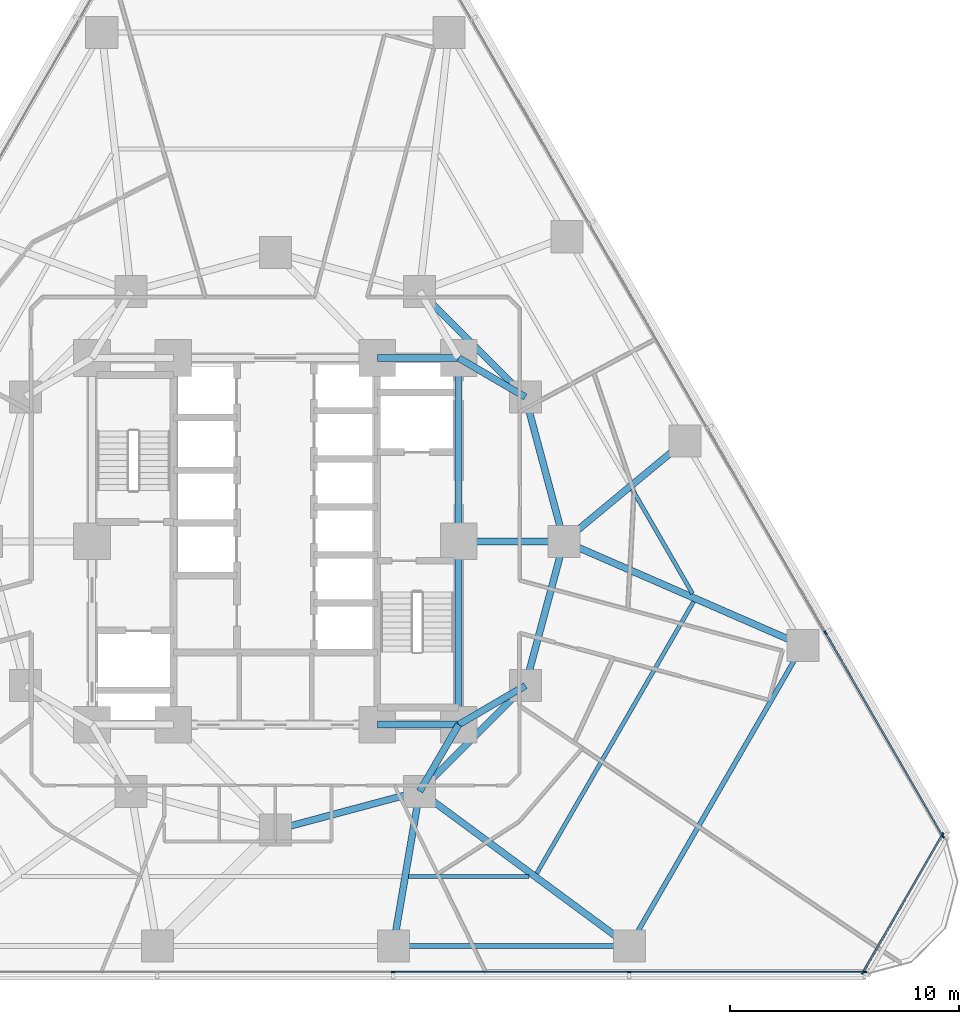
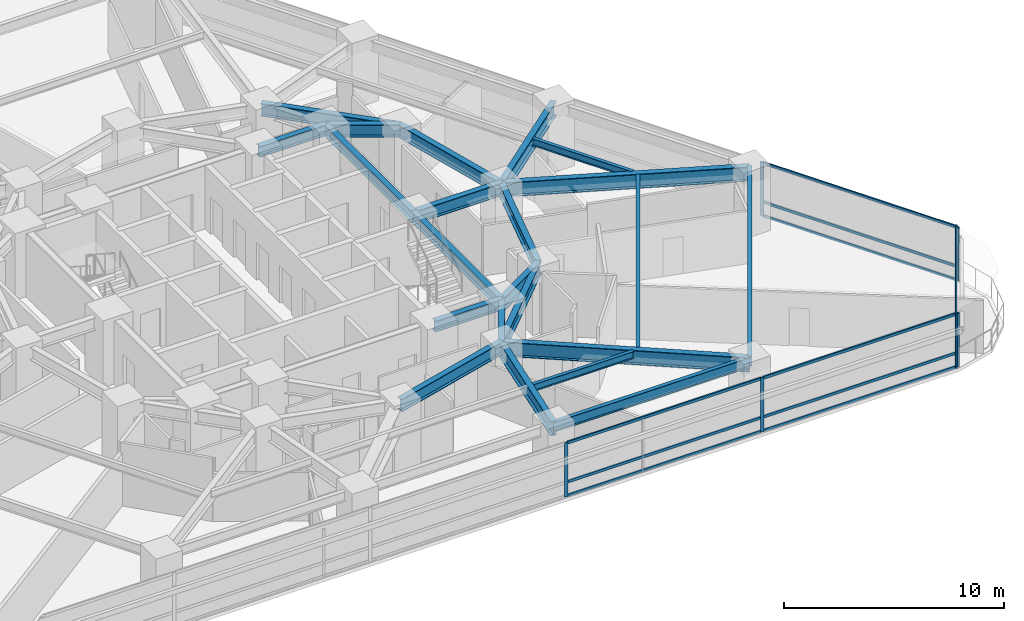
# One storey, part 4 of 16: 22 beams, 19 members, 3 elements without a shape of their own.
"""IFC4 building model written with IfcOpenShell, lengths in metres."""

from ifc_helpers import new_model, si_unit, direction, frame, origin, origin_2d, place, context, subcontext, project, spatial, rectangle, i_section, extrude, material, layer, layer_set, material_profile, profile_set, type_object, element, aggregate, save


model = new_model("IFC4")

# Units and contexts
model_context = context("Model", 3, precision=1e-05, world=origin(), true_north=direction((0.0, 1.0)))
body_context = subcontext(model_context, "Body", "Model", "MODEL_VIEW")
ifc_project = project(units=[si_unit("LENGTHUNIT", "METRE"), si_unit("AREAUNIT", "SQUARE_METRE"), si_unit("VOLUMEUNIT", "CUBIC_METRE"), si_unit("PLANEANGLEUNIT", "RADIAN"), si_unit("MASSUNIT", "GRAM", prefix="KILO")], contexts=[model_context])

# Site, building, storey
site_placement = place(None, origin())
site = spatial("IfcSite", under=ifc_project, at=site_placement, CompositionType="ELEMENT")
building_placement = place(site_placement, origin())
building = spatial("IfcBuilding", under=site, at=building_placement, Name="Terralouvre Media Tower", CompositionType="ELEMENT")
storey_placement = place(building_placement, frame((0.0, 0.0, 40.800048828125)))
storey = spatial("IfcBuildingStorey", under=building, at=storey_placement, Name="L09", CompositionType="ELEMENT", Elevation=40.800048828125)

# Beams
ifc_material_1 = material(Name="Structural steel S355J2", Category="steel")
ifc_material_profile_1 = material_profile(ifc_material_1, i_section(OverallWidth=0.179931640625, OverallDepth=0.39990234375, WebThickness=0.008544921875, FlangeThickness=0.013427734375, at=origin_2d()), Name="IPE 400")
ifc_profile_set_1 = profile_set([ifc_material_profile_1], Name="Structural steel S355J2")
beam_type_1 = type_object("IfcBeamType", Name="Composite Floor Joist J-IPE400 (IPE 400)", PredefinedType="JOIST", material=ifc_profile_set_1)
beam_1_placement = place(storey_placement, frame((5.817626953125, -14.627197265625, 3.300048828125), z_axis=(1.0, 0.0, 0.0), x_axis=(0.0, 1.0, 0.0)))
element("IfcBeam", 1, at=beam_1_placement, inside=storey, type_object=beam_type_1, Name="L09 Framing Beam JT-L09-04", PredefinedType="JOIST", context=body_context, shape_type="SweptSolid", body=[
    extrude(i_section(OverallWidth=0.179931640625, OverallDepth=0.39990234375, WebThickness=0.008544921875, FlangeThickness=0.013427734375, at=origin_2d()), origin(), (0.0, 0.0, 1.0), 5.264404296875),
])
beam_2_placement = place(storey_placement, frame((11.407470703125, -14.4970703125, 3.300048828125), z_axis=(0.500011895338, 0.866018535899, 0.0), x_axis=(-0.866018535899, 0.500011895338, 0.0)))
element("IfcBeam", 2, at=beam_2_placement, inside=storey, type_object=beam_type_1, Name="L09 Framing Beam JT-L09-05", PredefinedType="JOIST", context=body_context, shape_type="SweptSolid", body=[
    extrude(i_section(OverallWidth=0.179931640625, OverallDepth=0.39990234375, WebThickness=0.008544921875, FlangeThickness=0.013427734375, at=origin_2d()), origin(), (0.0, 0.0, 1.0), 13.702392578125),
])
beam_3_placement = place(storey_placement, frame((18.20849609375, -2.28369140625, 3.300048828125), z_axis=(-0.500019514865, 0.866014136579, 0.0), x_axis=(-0.866014136579, -0.500019514865, 0.0)))
element("IfcBeam", 3, at=beam_3_placement, inside=storey, type_object=beam_type_1, Name="L09 Framing Beam JT-L09-06", PredefinedType="JOIST", context=body_context, shape_type="SweptSolid", body=[
    extrude(i_section(OverallWidth=0.179931640625, OverallDepth=0.39990234375, WebThickness=0.008544921875, FlangeThickness=0.013427734375, at=origin_2d()), origin(), (0.0, 0.0, 1.0), 5.264404296875),
])

# Curtain wall, members
ifc_material_2 = material(Name="Low-iron laminated double glazing with solar-control coating", Category="glass")
ifc_layer_1 = layer(ifc_material_2, 0.1650390625, Name="Lower Media Tower Unitised Curtain Wall CW-02")
ifc_layer_set_1 = layer_set([ifc_layer_1], Name="Low-iron laminated double glazing with solar-control coating")
curtain_wall_type_1 = type_object("IfcCurtainWallType", Name="Lower Media Tower Unitised Curtain Wall CW-02", PredefinedType="NOTDEFINED", material=ifc_layer_set_1)
curtain_wall_1_placement = place(storey_placement, origin())
curtain_wall_1 = element("IfcCurtainWall", 4, at=curtain_wall_1_placement, inside=storey, type_object=curtain_wall_type_1, Name="L09 Facade Curtain Wall F0", PredefinedType="NOTDEFINED")
ifc_material_3 = material(Name="Anodised extruded aluminium 6063-T6", Category="aluminium")
ifc_material_profile_2 = material_profile(ifc_material_3, rectangle(XDim=0.074951171875, YDim=0.14990234375, at=origin_2d()), Name="ALU 75x150")
ifc_profile_set_2 = profile_set([ifc_material_profile_2], Name="Anodised extruded aluminium 6063-T6")
member_type_1 = type_object("IfcMemberType", Name="Curtain-Wall Horizontal Transom TR-150", PredefinedType="USERDEFINED", material=ifc_profile_set_2)
member_1_placement = place(storey_placement, frame((5.1875, -18.796875, 0.037353515625), z_axis=(1.0, 0.0, 0.0), x_axis=(0.0, 1.0, 0.0)))
member_1 = element("IfcMember", 5, at=member_1_placement, type_object=member_type_1, Name="CW-02 transom 4.1", ObjectType="TRANSOM", PredefinedType="USERDEFINED", context=body_context, shape_type="SweptSolid", body=[
    extrude(rectangle(XDim=0.074951171875, YDim=0.14990234375, at=origin_2d()), origin(), (0.0, 0.0, 1.0), 10.22509765625),
])
member_2_placement = place(storey_placement, frame((5.1875, -18.796875, 0.800048828125), z_axis=(1.0, 0.0, 0.0), x_axis=(0.0, 1.0, 0.0)))
member_2 = element("IfcMember", 6, at=member_2_placement, type_object=member_type_1, Name="CW-02 transom 4.2", ObjectType="TRANSOM", PredefinedType="USERDEFINED", context=body_context, shape_type="SweptSolid", body=[
    extrude(rectangle(XDim=0.074951171875, YDim=0.14990234375, at=origin_2d()), origin(), (0.0, 0.0, 1.0), 10.22509765625),
])
member_3_placement = place(storey_placement, frame((5.1875, -18.796875, 2.96240234375), z_axis=(1.0, 0.0, 0.0), x_axis=(0.0, 1.0, 0.0)))
member_3 = element("IfcMember", 7, at=member_3_placement, type_object=member_type_1, Name="CW-02 transom 4.3", ObjectType="TRANSOM", PredefinedType="USERDEFINED", context=body_context, shape_type="SweptSolid", body=[
    extrude(rectangle(XDim=0.074951171875, YDim=0.14990234375, at=origin_2d()), origin(), (0.0, 0.0, 1.0), 10.22509765625),
])
member_4_placement = place(storey_placement, frame((15.487548828125, -18.796875, 0.037353515625), z_axis=(1.0, 0.0, 0.0), x_axis=(0.0, 1.0, 0.0)))
member_4 = element("IfcMember", 8, at=member_4_placement, type_object=member_type_1, Name="CW-02 transom 5.1", ObjectType="TRANSOM", PredefinedType="USERDEFINED", context=body_context, shape_type="SweptSolid", body=[
    extrude(rectangle(XDim=0.074951171875, YDim=0.14990234375, at=origin_2d()), origin(), (0.0, 0.0, 1.0), 10.1875),
])
member_5_placement = place(storey_placement, frame((15.487548828125, -18.796875, 0.800048828125), z_axis=(1.0, 0.0, 0.0), x_axis=(0.0, 1.0, 0.0)))
member_5 = element("IfcMember", 9, at=member_5_placement, type_object=member_type_1, Name="CW-02 transom 5.2", ObjectType="TRANSOM", PredefinedType="USERDEFINED", context=body_context, shape_type="SweptSolid", body=[
    extrude(rectangle(XDim=0.074951171875, YDim=0.14990234375, at=origin_2d()), origin(), (0.0, 0.0, 1.0), 10.1875),
])
member_6_placement = place(storey_placement, frame((15.487548828125, -18.796875, 2.96240234375), z_axis=(1.0, 0.0, 0.0), x_axis=(0.0, 1.0, 0.0)))
member_6 = element("IfcMember", 10, at=member_6_placement, type_object=member_type_1, Name="CW-02 transom 5.3", ObjectType="TRANSOM", PredefinedType="USERDEFINED", context=body_context, shape_type="SweptSolid", body=[
    extrude(rectangle(XDim=0.074951171875, YDim=0.14990234375, at=origin_2d()), origin(), (0.0, 0.0, 1.0), 10.1875),
])

curtain_wall_2_placement = place(storey_placement, origin())
curtain_wall_2 = element("IfcCurtainWall", 11, at=curtain_wall_2_placement, inside=storey, type_object=curtain_wall_type_1, Name="L09 Facade Curtain Wall F1", PredefinedType="NOTDEFINED")
member_7_placement = place(storey_placement, frame((29.115966796875, -12.8369140625, 0.037353515625), z_axis=(-0.499994895054, 0.866028351106, 0.0), x_axis=(-0.866028351106, -0.499994895054, 0.0)))
member_7 = element("IfcMember", 12, at=member_7_placement, type_object=member_type_1, Name="CW-02 transom 1.1", ObjectType="TRANSOM", PredefinedType="USERDEFINED", context=body_context, shape_type="SweptSolid", body=[
    extrude(rectangle(XDim=0.074951171875, YDim=0.14990234375, at=origin_2d()), origin(), (0.0, 0.0, 1.0), 10.1875),
])
member_8_placement = place(storey_placement, frame((29.115966796875, -12.8369140625, 0.800048828125), z_axis=(-0.499994895054, 0.866028351106, 0.0), x_axis=(-0.866028351106, -0.499994895054, 0.0)))
member_8 = element("IfcMember", 13, at=member_8_placement, type_object=member_type_1, Name="CW-02 transom 1.2", ObjectType="TRANSOM", PredefinedType="USERDEFINED", context=body_context, shape_type="SweptSolid", body=[
    extrude(rectangle(XDim=0.074951171875, YDim=0.14990234375, at=origin_2d()), origin(), (0.0, 0.0, 1.0), 10.1875),
])
member_9_placement = place(storey_placement, frame((29.115966796875, -12.8369140625, 2.96240234375), z_axis=(-0.499994895054, 0.866028351106, 0.0), x_axis=(-0.866028351106, -0.499994895054, 0.0)))
member_9 = element("IfcMember", 14, at=member_9_placement, type_object=member_type_1, Name="CW-02 transom 1.3", ObjectType="TRANSOM", PredefinedType="USERDEFINED", context=body_context, shape_type="SweptSolid", body=[
    extrude(rectangle(XDim=0.074951171875, YDim=0.14990234375, at=origin_2d()), origin(), (0.0, 0.0, 1.0), 10.1875),
])

ifc_material_4 = material(Name="Low-iron laminated double glazing with solar-control coating", Category="glass")
ifc_layer_2 = layer(ifc_material_4, 0.1650390625, Name="Rounded Wind-Corner Curved Glazing CW-04")
ifc_layer_set_2 = layer_set([ifc_layer_2], Name="Low-iron laminated double glazing with solar-control coating")
curtain_wall_type_2 = type_object("IfcCurtainWallType", Name="Rounded Wind-Corner Curved Glazing CW-04", PredefinedType="NOTDEFINED", material=ifc_layer_set_2)
curtain_wall_3_placement = place(storey_placement, origin())
curtain_wall_3 = element("IfcCurtainWall", 15, at=curtain_wall_3_placement, inside=storey, type_object=curtain_wall_type_2, Name="L09 Rounded Wind-Corner Curtain Wall C1", PredefinedType="NOTDEFINED")
member_10_placement = place(storey_placement, frame((25.666259765625, -18.78173828125, 0.037353515625), z_axis=(0.499998495495, 0.866026272409, 0.0), x_axis=(-0.866026272409, 0.499998495495, 0.0)))
member_10 = element("IfcMember", 16, at=member_10_placement, type_object=member_type_1, Name="CW-04 transom 1.1", ObjectType="TRANSOM", PredefinedType="USERDEFINED", context=body_context, shape_type="SweptSolid", body=[
    extrude(rectangle(XDim=0.074951171875, YDim=0.14990234375, at=origin_2d()), origin(), (0.0, 0.0, 1.0), 6.86474609375),
])
member_11_placement = place(storey_placement, frame((25.666259765625, -18.78173828125, 0.800048828125), z_axis=(0.499998495495, 0.866026272409, 0.0), x_axis=(-0.866026272409, 0.499998495495, 0.0)))
member_11 = element("IfcMember", 17, at=member_11_placement, type_object=member_type_1, Name="CW-04 transom 1.2", ObjectType="TRANSOM", PredefinedType="USERDEFINED", context=body_context, shape_type="SweptSolid", body=[
    extrude(rectangle(XDim=0.074951171875, YDim=0.14990234375, at=origin_2d()), origin(), (0.0, 0.0, 1.0), 6.86474609375),
])
member_12_placement = place(storey_placement, frame((25.666259765625, -18.78173828125, 2.96240234375), z_axis=(0.499998495495, 0.866026272409, 0.0), x_axis=(-0.866026272409, 0.499998495495, 0.0)))
member_12 = element("IfcMember", 18, at=member_12_placement, type_object=member_type_1, Name="CW-04 transom 1.3", ObjectType="TRANSOM", PredefinedType="USERDEFINED", context=body_context, shape_type="SweptSolid", body=[
    extrude(rectangle(XDim=0.074951171875, YDim=0.14990234375, at=origin_2d()), origin(), (0.0, 0.0, 1.0), 6.86474609375),
])

# Member
ifc_material_5 = material(Name="Anodised extruded aluminium 6063-T6", Category="aluminium")
ifc_material_profile_3 = material_profile(ifc_material_5, rectangle(XDim=0.074951171875, YDim=0.179931640625, at=origin_2d()), Name="ALU 75x180")
ifc_profile_set_3 = profile_set([ifc_material_profile_3], Name="Anodised extruded aluminium 6063-T6")
member_type_2 = type_object("IfcMemberType", Name="Curtain-Wall Vertical Mullion ML-180", PredefinedType="MULLION", material=ifc_profile_set_3)
member_13_placement = place(storey_placement, frame((5.14990234375, -18.796875, 0.0), z_axis=(0.0, 0.0, 1.0), x_axis=(0.0, 1.0, 0.0)))
member_13 = element("IfcMember", 19, at=member_13_placement, type_object=member_type_2, Name="CW-02 mullion 4", PredefinedType="MULLION", context=body_context, shape_type="SweptSolid", body=[
    extrude(rectangle(XDim=0.074951171875, YDim=0.179931640625, at=origin_2d()), origin(), (0.0, 0.0, 1.0), 3.0),
])

member_14_placement = place(storey_placement, frame((15.449951171875, -18.796875, 0.0), z_axis=(0.0, 0.0, 1.0), x_axis=(0.0, 1.0, 0.0)))
member_14 = element("IfcMember", 20, at=member_14_placement, type_object=member_type_2, Name="CW-02 mullion 5", PredefinedType="MULLION", context=body_context, shape_type="SweptSolid", body=[
    extrude(rectangle(XDim=0.074951171875, YDim=0.179931640625, at=origin_2d()), origin(), (0.0, 0.0, 1.0), 3.0),
])

member_15_placement = place(storey_placement, frame((25.71240234375, -18.796875, 0.0), z_axis=(0.0, 0.0, 1.0), x_axis=(0.0, 1.0, 0.0)))
member_15 = element("IfcMember", 21, at=member_15_placement, type_object=member_type_2, Name="CW-02 mullion 6", PredefinedType="MULLION", context=body_context, shape_type="SweptSolid", body=[
    extrude(rectangle(XDim=0.074951171875, YDim=0.179931640625, at=origin_2d()), origin(), (0.0, 0.0, 1.0), 3.0),
])

aggregate(curtain_wall_1, [member_13, member_14, member_15, member_1, member_2, member_3, member_4, member_5, member_6])

member_16_placement = place(storey_placement, frame((29.134765625, -12.869384765625, 0.0), z_axis=(0.0, 0.0, 1.0), x_axis=(-0.866025412057, -0.499999985671, 0.0)))
member_16 = element("IfcMember", 22, at=member_16_placement, type_object=member_type_2, Name="CW-02 mullion 1", PredefinedType="MULLION", context=body_context, shape_type="SweptSolid", body=[
    extrude(rectangle(XDim=0.074951171875, YDim=0.179931640625, at=origin_2d()), origin(), (0.0, 0.0, 1.0), 3.0),
])

member_17_placement = place(storey_placement, frame((24.00341796875, -3.981689453125, 0.0), z_axis=(0.0, 0.0, 1.0), x_axis=(-0.866025412057, -0.499999985671, 0.0)))
member_17 = element("IfcMember", 23, at=member_17_placement, type_object=member_type_2, Name="CW-02 mullion 2", PredefinedType="MULLION", context=body_context, shape_type="SweptSolid", body=[
    extrude(rectangle(XDim=0.074951171875, YDim=0.179931640625, at=origin_2d()), origin(), (0.0, 0.0, 1.0), 3.0),
])

aggregate(curtain_wall_2, [member_16, member_17, member_7, member_8, member_9])

member_18_placement = place(storey_placement, frame((25.6474609375, -18.814208984375, 0.0), z_axis=(0.0, 0.0, 1.0), x_axis=(-0.866025581895, 0.499999691503, 0.0)))
member_18 = element("IfcMember", 24, at=member_18_placement, type_object=member_type_2, Name="CW-04 mullion 1", PredefinedType="MULLION", context=body_context, shape_type="SweptSolid", body=[
    extrude(rectangle(XDim=0.074951171875, YDim=0.179931640625, at=origin_2d()), origin(), (0.0, 0.0, 1.0), 3.0),
])

member_19_placement = place(storey_placement, frame((29.117431640625, -12.80419921875, 0.0), z_axis=(0.0, 0.0, 1.0), x_axis=(-0.866025581895, 0.499999691503, 0.0)))
member_19 = element("IfcMember", 25, at=member_19_placement, type_object=member_type_2, Name="CW-04 mullion 2", PredefinedType="MULLION", context=body_context, shape_type="SweptSolid", body=[
    extrude(rectangle(XDim=0.074951171875, YDim=0.179931640625, at=origin_2d()), origin(), (0.0, 0.0, 1.0), 3.0),
])

aggregate(curtain_wall_3, [member_18, member_19, member_10, member_11, member_12])

# Beams
ifc_material_6 = material(Name="Structural steel S355J2", Category="steel")
ifc_material_profile_4 = material_profile(ifc_material_6, i_section(OverallWidth=0.2099609375, OverallDepth=0.550048828125, WebThickness=0.010986328125, FlangeThickness=0.01708984375, at=origin_2d()), Name="IPE 550")
ifc_profile_set_4 = profile_set([ifc_material_profile_4], Name="Structural steel S355J2")
beam_type_2 = type_object("IfcBeamType", Name="Perimeter Spandrel Beam SPB-550 (IPE 550)", PredefinedType="SPANDREL", material=ifc_profile_set_4)
beam_4_placement = place(storey_placement, frame((5.14990234375, -17.666748046875, 3.21484375), z_axis=(1.0, 0.0, 0.0), x_axis=(0.0, 1.0, 0.0)))
element("IfcBeam", 26, at=beam_4_placement, inside=storey, type_object=beam_type_2, Name="L09 Framing Beam BM-L09-PR04", PredefinedType="SPANDREL", context=body_context, shape_type="SweptSolid", body=[
    extrude(i_section(OverallWidth=0.2099609375, OverallDepth=0.550048828125, WebThickness=0.010986328125, FlangeThickness=0.01708984375, at=origin_2d()), origin(), (0.0, 0.0, 1.0), 10.300048828125),
])
beam_5_placement = place(storey_placement, frame((15.449951171875, -17.666748046875, 3.224853515625), z_axis=(0.500002375365, 0.866024032363, 0.0), x_axis=(-0.866024032363, 0.500002375365, 0.0)))
element("IfcBeam", 27, at=beam_5_placement, inside=storey, type_object=beam_type_2, Name="L09 Framing Beam BM-L09-PR05", PredefinedType="SPANDREL", context=body_context, shape_type="SweptSolid", body=[
    extrude(i_section(OverallWidth=0.2099609375, OverallDepth=0.550048828125, WebThickness=0.010986328125, FlangeThickness=0.01708984375, at=origin_2d()), origin(), (0.0, 0.0, 1.0), 15.14990234375),
])
ifc_material_7 = material(Name="Structural steel S460M", Category="steel")
ifc_material_profile_5 = material_profile(ifc_material_7, i_section(OverallWidth=0.300048828125, OverallDepth=0.60009765625, WebThickness=0.015380859375, FlangeThickness=0.030029296875, at=origin_2d()), Name="HEB 600")
ifc_profile_set_5 = profile_set([ifc_material_profile_5], Name="Structural steel S460M")
beam_type_3 = type_object("IfcBeamType", Name="Primary Floor Girder B-HEB600 (HEB 600)", PredefinedType="BEAM", material=ifc_profile_set_5)
beam_6_placement = place(storey_placement, frame((4.449951171875, -8.0, 3.199951171875), z_axis=(1.0, 0.0, 0.0), x_axis=(0.0, 1.0, 0.0)))
element("IfcBeam", 28, at=beam_6_placement, inside=storey, type_object=beam_type_3, Name="L09 Framing Beam BM-L09-CPR03", PredefinedType="BEAM", context=body_context, shape_type="SweptSolid", body=[
    extrude(i_section(OverallWidth=0.300048828125, OverallDepth=0.60009765625, WebThickness=0.015380859375, FlangeThickness=0.030029296875, at=origin_2d()), origin(), (0.0, 0.0, 1.0), 3.550048828125),
])
for number, where, z_axis, x_axis, name in (
    (29, (8.0, -8.0, 3.199951171875), (0.0, 1.0, 0.0), (-1.0, 0.0, 0.0), "L09 Framing Beam BM-L09-CPR04"),
    (30, (8.0, 0.0, 3.199951171875), (0.0, 1.0, 0.0), (-1.0, 0.0, 0.0), "L09 Framing Beam BM-L09-CPR05"),
):
    element("IfcBeam", number, at=place(storey_placement, frame(where, z_axis=z_axis, x_axis=x_axis)), inside=storey, type_object=beam_type_3, Name=name, PredefinedType="BEAM", context=body_context, shape_type="SweptSolid", body=[
        extrude(i_section(OverallWidth=0.300048828125, OverallDepth=0.60009765625, WebThickness=0.015380859375, FlangeThickness=0.030029296875, at=origin_2d()), origin(), (0.0, 0.0, 1.0), 8.0),
    ])
beam_7_placement = place(storey_placement, frame((8.0, 8.0, 3.199951171875), z_axis=(-1.0, 0.0, 0.0), x_axis=(0.0, -1.0, 0.0)))
element("IfcBeam", 31, at=beam_7_placement, inside=storey, type_object=beam_type_3, Name="L09 Framing Beam BM-L09-CPR06", PredefinedType="BEAM", context=body_context, shape_type="SweptSolid", body=[
    extrude(i_section(OverallWidth=0.300048828125, OverallDepth=0.60009765625, WebThickness=0.015380859375, FlangeThickness=0.030029296875, at=origin_2d()), origin(), (0.0, 0.0, 1.0), 3.550048828125),
])
ifc_material_8 = material(Name="Structural steel S460M", Category="steel")
ifc_material_profile_6 = material_profile(ifc_material_8, i_section(OverallWidth=0.300048828125, OverallDepth=0.699951171875, WebThickness=0.01708984375, FlangeThickness=0.031982421875, at=origin_2d()), Name="HEB 700")
ifc_profile_set_6 = profile_set([ifc_material_profile_6], Name="Structural steel S460M")
beam_type_4 = type_object("IfcBeamType", Name="Primary Floor Girder B-HEB700 (HEB 700)", PredefinedType="BEAM", material=ifc_profile_set_6)
beam_8_placement = place(storey_placement, frame((0.0, -12.60009765625, 3.14990234375), z_axis=(0.965920481897, 0.258838989821, 0.0), x_axis=(-0.258838989821, 0.965920481897, 0.0)))
element("IfcBeam", 32, at=beam_8_placement, inside=storey, type_object=beam_type_4, Name="L09 Framing Beam BM-L09-MR03", PredefinedType="BEAM", context=body_context, shape_type="SweptSolid", body=[
    extrude(i_section(OverallWidth=0.300048828125, OverallDepth=0.699951171875, WebThickness=0.01708984375, FlangeThickness=0.031982421875, at=origin_2d()), origin(), (0.0, 0.0, 1.0), 6.522216796875),
])
beam_9_placement = place(storey_placement, frame((6.300048828125, -10.911865234375, 3.14990234375), z_axis=(0.707106781187, 0.707106781187, 0.0), x_axis=(-0.707106781187, 0.707106781187, 0.0)))
element("IfcBeam", 33, at=beam_9_placement, inside=storey, type_object=beam_type_4, Name="L09 Framing Beam BM-L09-MR04", PredefinedType="BEAM", context=body_context, shape_type="SweptSolid", body=[
    extrude(i_section(OverallWidth=0.300048828125, OverallDepth=0.699951171875, WebThickness=0.01708984375, FlangeThickness=0.031982421875, at=origin_2d()), origin(), (0.0, 0.0, 1.0), 6.52197265625),
])
for number, where, z_axis, x_axis, name in (
    (34, (10.911865234375, -6.300048828125, 3.14990234375), (0.258838989821, 0.965920481897, 0.0), (-0.965920481897, 0.258838989821, 0.0), "L09 Framing Beam BM-L09-MR05"),
    (35, (12.60009765625, 0.0, 3.14990234375), (-0.258838989821, 0.965920481897, 0.0), (-0.965920481897, -0.258838989821, 0.0), "L09 Framing Beam BM-L09-MR06"),
):
    element("IfcBeam", number, at=place(storey_placement, frame(where, z_axis=z_axis, x_axis=x_axis)), inside=storey, type_object=beam_type_4, Name=name, PredefinedType="BEAM", context=body_context, shape_type="SweptSolid", body=[
        extrude(i_section(OverallWidth=0.300048828125, OverallDepth=0.699951171875, WebThickness=0.01708984375, FlangeThickness=0.031982421875, at=origin_2d()), origin(), (0.0, 0.0, 1.0), 6.522216796875),
    ])
beam_10_placement = place(storey_placement, frame((10.911865234375, 6.300048828125, 3.14990234375), z_axis=(-0.707106781187, 0.707106781187, 0.0), x_axis=(-0.707106781187, -0.707106781187, 0.0)))
element("IfcBeam", 36, at=beam_10_placement, inside=storey, type_object=beam_type_4, Name="L09 Framing Beam BM-L09-MR07", PredefinedType="BEAM", context=body_context, shape_type="SweptSolid", body=[
    extrude(i_section(OverallWidth=0.300048828125, OverallDepth=0.699951171875, WebThickness=0.01708984375, FlangeThickness=0.031982421875, at=origin_2d()), origin(), (0.0, 0.0, 1.0), 6.52197265625),
])
for number, where, z_axis, x_axis, name in (
    (37, (8.0, -8.0, 3.14990234375), (-0.504172629717, -0.863602894532, 0.0), (0.863602894532, -0.504172629717, 0.0), "L09 Framing Beam BM-L09-CM04"),
    (38, (8.0, -8.0, 3.14990234375), (0.863602894532, 0.504172629717, 0.0), (-0.504172629717, 0.863602894532, 0.0), "L09 Framing Beam BM-L09-CM05"),
):
    element("IfcBeam", number, at=place(storey_placement, frame(where, z_axis=z_axis, x_axis=x_axis)), inside=storey, type_object=beam_type_4, Name=name, PredefinedType="BEAM", context=body_context, shape_type="SweptSolid", body=[
        extrude(i_section(OverallWidth=0.300048828125, OverallDepth=0.699951171875, WebThickness=0.01708984375, FlangeThickness=0.031982421875, at=origin_2d()), origin(), (0.0, 0.0, 1.0), 3.371826171875),
    ])
beam_11_placement = place(storey_placement, frame((8.0, 0.0, 3.14990234375), z_axis=(1.0, 0.0, 0.0), x_axis=(0.0, 1.0, 0.0)))
element("IfcBeam", 39, at=beam_11_placement, inside=storey, type_object=beam_type_4, Name="L09 Framing Beam BM-L09-CM06", PredefinedType="BEAM", context=body_context, shape_type="SweptSolid", body=[
    extrude(i_section(OverallWidth=0.300048828125, OverallDepth=0.699951171875, WebThickness=0.01708984375, FlangeThickness=0.031982421875, at=origin_2d()), origin(), (0.0, 0.0, 1.0), 4.60009765625),
])
beam_12_placement = place(storey_placement, frame((8.0, 8.0, 3.14990234375), z_axis=(0.863602894532, -0.504172629717, 0.0), x_axis=(0.504172629717, 0.863602894532, 0.0)))
element("IfcBeam", 40, at=beam_12_placement, inside=storey, type_object=beam_type_4, Name="L09 Framing Beam BM-L09-CM07", PredefinedType="BEAM", context=body_context, shape_type="SweptSolid", body=[
    extrude(i_section(OverallWidth=0.300048828125, OverallDepth=0.699951171875, WebThickness=0.01708984375, FlangeThickness=0.031982421875, at=origin_2d()), origin(), (0.0, 0.0, 1.0), 3.371826171875),
])
ifc_material_9 = material(Name="Structural steel S460M", Category="steel")
ifc_material_profile_7 = material_profile(ifc_material_9, i_section(OverallWidth=0.300048828125, OverallDepth=0.800048828125, WebThickness=0.017578125, FlangeThickness=0.032958984375, at=origin_2d()), Name="HEB 800")
ifc_profile_set_7 = profile_set([ifc_material_profile_7], Name="Structural steel S460M")
beam_type_5 = type_object("IfcBeamType", Name="Primary Floor Girder B-HEB800 (HEB 800)", PredefinedType="BEAM", material=ifc_profile_set_7)
beam_13_placement = place(storey_placement, frame((6.300048828125, -10.911865234375, 3.08984375), z_axis=(-0.167853129882, -0.98581201392, 0.0), x_axis=(0.98581201392, -0.167853129882, 0.0)))
element("IfcBeam", 41, at=beam_13_placement, inside=storey, type_object=beam_type_5, Name="L09 Framing Beam BM-L09-RD04", PredefinedType="BEAM", context=body_context, shape_type="SweptSolid", body=[
    extrude(i_section(OverallWidth=0.300048828125, OverallDepth=0.800048828125, WebThickness=0.017578125, FlangeThickness=0.032958984375, at=origin_2d()), origin(), (0.0, 0.0, 1.0), 6.85205078125),
])
beam_14_placement = place(storey_placement, frame((6.300048828125, -10.911865234375, 3.099853515625), z_axis=(0.804515955091, -0.593931038088, 0.0), x_axis=(0.593931038088, 0.804515955091, 0.0)))
element("IfcBeam", 42, at=beam_14_placement, inside=storey, type_object=beam_type_5, Name="L09 Framing Beam BM-L09-RD05", PredefinedType="BEAM", context=body_context, shape_type="SweptSolid", body=[
    extrude(i_section(OverallWidth=0.300048828125, OverallDepth=0.800048828125, WebThickness=0.017578125, FlangeThickness=0.032958984375, at=origin_2d()), origin(), (0.0, 0.0, 1.0), 11.373291015625),
])
beam_15_placement = place(storey_placement, frame((12.60009765625, 0.0, 3.099853515625), z_axis=(0.916615903868, -0.399769039291, 0.0), x_axis=(0.399769039291, 0.916615903868, 0.0)))
element("IfcBeam", 43, at=beam_15_placement, inside=storey, type_object=beam_type_5, Name="L09 Framing Beam BM-L09-RD06", PredefinedType="BEAM", context=body_context, shape_type="SweptSolid", body=[
    extrude(i_section(OverallWidth=0.300048828125, OverallDepth=0.800048828125, WebThickness=0.017578125, FlangeThickness=0.032958984375, at=origin_2d()), origin(), (0.0, 0.0, 1.0), 11.373046875),
])
beam_16_placement = place(storey_placement, frame((12.60009765625, 0.0, 3.099853515625), z_axis=(0.769816459478, 0.638265320001, 0.0), x_axis=(-0.638265320001, 0.769816459478, 0.0)))
element("IfcBeam", 44, at=beam_16_placement, inside=storey, type_object=beam_type_5, Name="L09 Framing Beam BM-L09-RD07", PredefinedType="BEAM", context=body_context, shape_type="SweptSolid", body=[
    extrude(i_section(OverallWidth=0.300048828125, OverallDepth=0.800048828125, WebThickness=0.017578125, FlangeThickness=0.032958984375, at=origin_2d()), origin(), (0.0, 0.0, 1.0), 6.851806640625),
])

save(model, "model.ifc")
